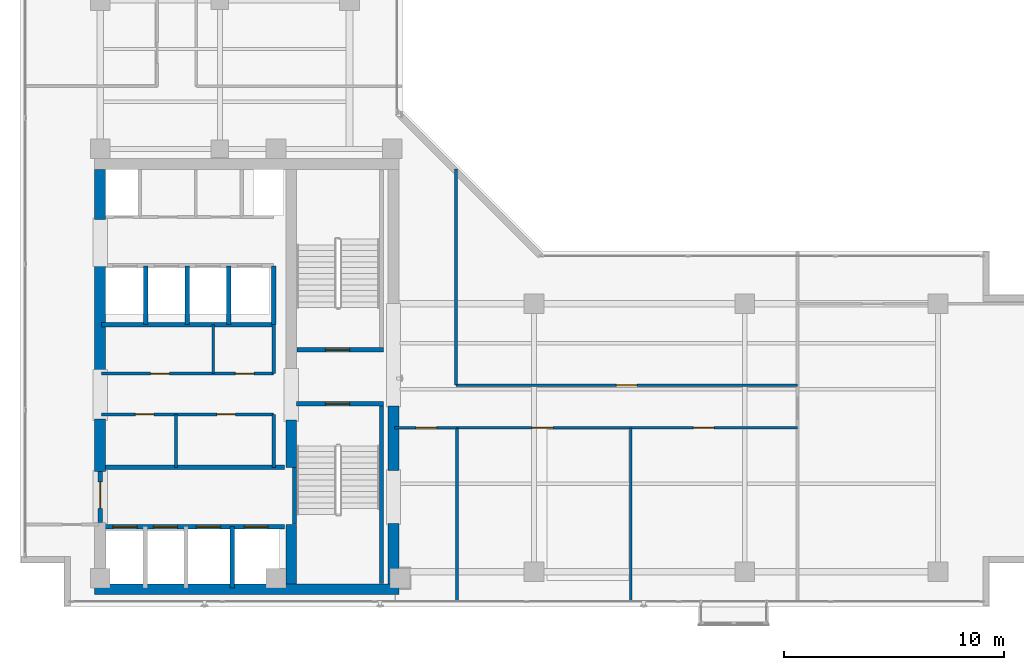
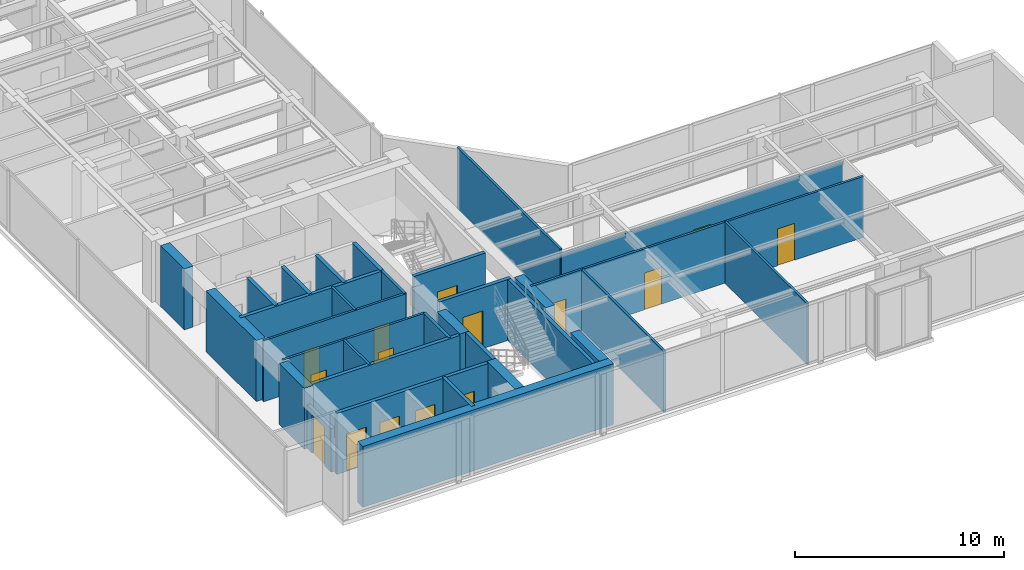
# One storey, part 17 of 24: 33 walls, 15 doors, 15 openings.
"""IFC4 building model written with IfcOpenShell, lengths in metres."""

from ifc_helpers import new_model, si_unit, direction, frame, frame_2d, origin, place, context, subcontext, project, spatial, rectangle, extrude, material, layer, layer_set, type_object, element, fill, save


model = new_model("IFC4")

# Units and contexts
model_context = context("Model", 3, precision=1e-05, world=origin(), true_north=direction((0.0, 1.0)))
body_context = subcontext(model_context, "Body", "Model", "MODEL_VIEW")
ifc_project = project(units=[si_unit("LENGTHUNIT", "METRE"), si_unit("AREAUNIT", "SQUARE_METRE"), si_unit("VOLUMEUNIT", "CUBIC_METRE"), si_unit("PLANEANGLEUNIT", "RADIAN"), si_unit("MASSUNIT", "GRAM", prefix="KILO")], contexts=[model_context])

# Site, building, storey
site_placement = place(None, origin())
site = spatial("IfcSite", under=ifc_project, at=site_placement, CompositionType="ELEMENT")
building_placement = place(site_placement, origin())
building = spatial("IfcBuilding", under=site, at=building_placement, Name="Kolvaren Waterfront Exchange", CompositionType="ELEMENT")
storey_placement = place(building_placement, frame((0.0, 0.0, 331.199951171875)))
storey = spatial("IfcBuildingStorey", under=building, at=storey_placement, Name="L85", CompositionType="ELEMENT", Elevation=331.199951171875)

# Wall, opening, door
ifc_material_1 = material(Name="Precast concrete C40/50", Category="concrete")
ifc_layer_1 = layer(ifc_material_1, 0.199951171875, Name="Precast concrete C40/50")
ifc_layer_set_1 = layer_set([ifc_layer_1], Name="Precast concrete C40/50")
wall_type_1 = type_object("IfcWallType", Name="ARC-FIRE-200", PredefinedType="PARTITIONING", material=ifc_layer_set_1)
wall_1_placement = place(storey_placement, frame((16.39990234375, 12.85009765625, 0.0), z_axis=(0.0, 0.0, 1.0), x_axis=(1.0, 0.0, 0.0)))
wall_1 = element("IfcWall", 1, at=wall_1_placement, inside=storey, type_object=wall_type_1, Name="L85 interior wall PW-L85-ST1-THROAT-S", PredefinedType="PARTITIONING", context=body_context, shape_type="SweptSolid", body=[
    extrude(rectangle(XDim=3.960205078125, YDim=0.199951171875, at=frame_2d((1.97998046875, 0.0))), origin(), (0.0, 0.0, 1.0), 3.56005859375),
])
opening_1_placement = place(wall_1_placement, frame((1.3037109375, 0.0, 0.0)))
opening_1 = element("IfcOpeningElement", 2, at=opening_1_placement, cuts=wall_1, Name="Opening FD2", PredefinedType="OPENING", context=body_context, shape_type="SweptSolid", body=[
    extrude(rectangle(XDim=1.10009765625, YDim=2.199951171875, at=frame_2d((0.550048828125, 1.10009765625))), frame((0.0, 0.10986328125, 0.0), z_axis=(0.0, -1.0, 0.0), x_axis=(1.0, 0.0, 0.0)), (0.0, 0.0, 1.0), 0.219970703125),
])
ifc_material_2 = material(Name="Pressed steel smoke-seal fire door", Category="steel")
door_type_1 = type_object("IfcDoorType", Name="ARC-FD-1100", OperationType="NOTDEFINED", PredefinedType="DOOR", material=ifc_material_2)
door_1_placement = place(opening_1_placement, frame((1.10009765625, 0.0, 0.0), z_axis=(0.0, 0.0, 1.0), x_axis=(-1.0, 0.0, 0.0)))
door_1 = element("IfcDoor", 3, at=door_1_placement, inside=storey, type_object=door_type_1, Name="L85 door DR-L85-ST1-IN (FD2)", OperationType="SINGLE_SWING_RIGHT", OverallHeight=2.199951171875, OverallWidth=1.10009765625, PredefinedType="DOOR", context=body_context, shape_type="SweptSolid", body=[
    extrude(rectangle(XDim=1.10009765625, YDim=2.199951171875, at=frame_2d((0.550048828125, 1.10009765625))), frame((0.0, 0.02490234375, 0.0), z_axis=(0.0, -1.0, 0.0), x_axis=(1.0, 0.0, 0.0)), (0.0, 0.0, 1.0), 0.050048828125),
])
fill(opening_1, door_1)

wall_2_placement = place(storey_placement, frame((16.409912109375, 15.300048828125, 0.0), z_axis=(0.0, 0.0, 1.0), x_axis=(1.0, 0.0, 0.0)))
wall_2 = element("IfcWall", 4, at=wall_2_placement, inside=storey, type_object=wall_type_1, Name="L85 interior wall PW-L85-ST2-THROAT-N", PredefinedType="PARTITIONING", context=body_context, shape_type="SweptSolid", body=[
    extrude(rectangle(XDim=3.9501953125, YDim=0.199951171875, at=frame_2d((1.97509765625, 0.0))), origin(), (0.0, 0.0, 1.0), 3.56005859375),
])
opening_2_placement = place(wall_2_placement, frame((1.293701171875, 0.0, 0.0)))
opening_2 = element("IfcOpeningElement", 5, at=opening_2_placement, cuts=wall_2, Name="Opening FD2", PredefinedType="OPENING", context=body_context, shape_type="SweptSolid", body=[
    extrude(rectangle(XDim=1.10009765625, YDim=2.199951171875, at=frame_2d((0.550048828125, 1.10009765625))), frame((0.0, 0.10986328125, 0.0), z_axis=(0.0, -1.0, 0.0), x_axis=(1.0, 0.0, 0.0)), (0.0, 0.0, 1.0), 0.219970703125),
])
door_2_placement = place(opening_2_placement, origin())
door_2 = element("IfcDoor", 6, at=door_2_placement, inside=storey, type_object=door_type_1, Name="L85 door DR-L85-ST2-IN (FD2)", OperationType="SINGLE_SWING_LEFT", OverallHeight=2.199951171875, OverallWidth=1.10009765625, PredefinedType="DOOR", context=body_context, shape_type="SweptSolid", body=[
    extrude(rectangle(XDim=1.10009765625, YDim=2.199951171875, at=frame_2d((0.550048828125, 1.10009765625))), frame((0.0, 0.02490234375, 0.0), z_axis=(0.0, -1.0, 0.0), x_axis=(1.0, 0.0, 0.0)), (0.0, 0.0, 1.0), 0.050048828125),
])
fill(opening_2, door_2)

# Wall
wall_3_placement = place(storey_placement, frame((7.5, 9.949951171875, 0.0), z_axis=(0.0, 0.0, 1.0), x_axis=(1.0, 0.0, 0.0)))
element("IfcWall", 7, at=wall_3_placement, inside=storey, type_object=wall_type_1, Name="L85 interior wall PW-L85-FF-N", PredefinedType="PARTITIONING", context=body_context, shape_type="SweptSolid", body=[
    extrude(rectangle(XDim=8.35009765625, YDim=0.199951171875, at=frame_2d((4.175048828125, 0.0))), origin(), (0.0, 0.0, 1.0), 3.56005859375),
])

# Wall, opening, door
wall_4_placement = place(storey_placement, frame((7.449951171875, 7.449951171875, 0.0), z_axis=(0.0, 0.0, 1.0), x_axis=(0.0, 1.0, 0.0)))
wall_4 = element("IfcWall", 8, at=wall_4_placement, inside=storey, type_object=wall_type_1, Name="L85 interior wall PW-L85-FF-W-DOOR", PredefinedType="PARTITIONING", context=body_context, shape_type="SweptSolid", body=[
    extrude(rectangle(XDim=2.300048828125, YDim=0.199951171875, at=frame_2d((1.14990234375, 0.0))), origin(), (0.0, 0.0, 1.0), 2.5400390625),
])
opening_3_placement = place(wall_4_placement, frame((0.63330078125, 0.0, 0.0)))
opening_3 = element("IfcOpeningElement", 9, at=opening_3_placement, cuts=wall_4, Name="Opening FD3", PredefinedType="OPENING", context=body_context, shape_type="SweptSolid", body=[
    extrude(rectangle(XDim=1.199951171875, YDim=2.25, at=frame_2d((0.60009765625, 1.125))), frame((0.0, 0.10986328125, 0.0), z_axis=(0.0, -1.0, 0.0), x_axis=(1.0, 0.0, 0.0)), (0.0, 0.0, 1.0), 0.219970703125),
])
ifc_material_3 = material(Name="Pressed steel fire door", Category="steel")
door_type_2 = type_object("IfcDoorType", Name="ARC-FD-1200", OperationType="NOTDEFINED", PredefinedType="DOOR", material=ifc_material_3)
door_3_placement = place(opening_3_placement, frame((1.199951171875, 0.0, 0.0), z_axis=(0.0, 0.0, 1.0), x_axis=(-1.0, 0.0, 0.0)))
door_3 = element("IfcDoor", 10, at=door_3_placement, inside=storey, type_object=door_type_2, Name="L85 door DR-L85-FF-OUT (FD3)", OperationType="SINGLE_SWING_RIGHT", OverallHeight=2.25, OverallWidth=1.199951171875, PredefinedType="DOOR", context=body_context, shape_type="SweptSolid", body=[
    extrude(rectangle(XDim=1.199951171875, YDim=2.25, at=frame_2d((0.60009765625, 1.125))), frame((0.0, 0.02490234375, 0.0), z_axis=(0.0, -1.0, 0.0), x_axis=(1.0, 0.0, 0.0)), (0.0, 0.0, 1.0), 0.050048828125),
])
fill(opening_3, door_3)

# Wall, openings, doors
ifc_material_4 = material(Name="Acoustic gypsum steel stud", Category="steel")
ifc_layer_2 = layer(ifc_material_4, 0.125, Name="Acoustic gypsum steel stud")
ifc_layer_set_2 = layer_set([ifc_layer_2], Name="Acoustic gypsum steel stud")
wall_type_2 = type_object("IfcWallType", Name="ARC-PART-125", PredefinedType="PARTITIONING", material=ifc_layer_set_2)
wall_5_placement = place(storey_placement, frame((7.5, 12.360107421875, 0.0), z_axis=(0.0, 0.0, 1.0), x_axis=(1.0, 0.0, 0.0)))
wall_5 = element("IfcWall", 11, at=wall_5_placement, inside=storey, type_object=wall_type_2, Name="L85 interior wall PW-L85-REC-HI-S", PredefinedType="PARTITIONING", context=body_context, shape_type="SweptSolid", body=[
    extrude(rectangle(XDim=7.85009765625, YDim=0.125, at=frame_2d((3.925048828125, 0.0))), origin(), (0.0, 0.0, 1.0), 3.56005859375),
])
opening_4_placement = place(wall_5_placement, frame((1.550048828125, 0.0, 0.0)))
opening_4 = element("IfcOpeningElement", 12, at=opening_4_placement, cuts=wall_5, Name="Opening D01", PredefinedType="OPENING", context=body_context, shape_type="SweptSolid", body=[
    extrude(rectangle(XDim=0.85009765625, YDim=2.14990234375, at=frame_2d((0.425048828125, 1.074951171875))), frame((0.0, 0.072509765625, 0.0), z_axis=(0.0, -1.0, 0.0), x_axis=(1.0, 0.0, 0.0)), (0.0, 0.0, 1.0), 0.14501953125),
])
opening_5_placement = place(wall_5_placement, frame((5.2578125, 0.0, 0.0)))
opening_5 = element("IfcOpeningElement", 13, at=opening_5_placement, cuts=wall_5, Name="Opening D01", PredefinedType="OPENING", context=body_context, shape_type="SweptSolid", body=[
    extrude(rectangle(XDim=0.85009765625, YDim=2.14990234375, at=frame_2d((0.425048828125, 1.074951171875))), frame((0.0, 0.072509765625, 0.0), z_axis=(0.0, -1.0, 0.0), x_axis=(1.0, 0.0, 0.0)), (0.0, 0.0, 1.0), 0.14501953125),
])
ifc_material_5 = material(Name="Oak veneer timber leaf", Category="wood")
door_type_3 = type_object("IfcDoorType", Name="ARC-DR-900", OperationType="NOTDEFINED", PredefinedType="DOOR", material=ifc_material_5)
door_4_placement = place(opening_4_placement, origin())
door_4 = element("IfcDoor", 14, at=door_4_placement, inside=storey, type_object=door_type_3, Name="L85 door DR-L85-REC-HI-D1 (D01)", OperationType="SINGLE_SWING_LEFT", OverallHeight=2.14990234375, OverallWidth=0.85009765625, PredefinedType="DOOR", context=body_context, shape_type="SweptSolid", body=[
    extrude(rectangle(XDim=0.85009765625, YDim=2.14990234375, at=frame_2d((0.425048828125, 1.074951171875))), frame((0.0, 0.02490234375, 0.0), z_axis=(0.0, -1.0, 0.0), x_axis=(1.0, 0.0, 0.0)), (0.0, 0.0, 1.0), 0.050048828125),
])
fill(opening_4, door_4)
door_5_placement = place(opening_5_placement, origin())
door_5 = element("IfcDoor", 15, at=door_5_placement, inside=storey, type_object=door_type_3, Name="L85 door DR-L85-REC-HI-D2 (D01)", OperationType="SINGLE_SWING_RIGHT", OverallHeight=2.14990234375, OverallWidth=0.85009765625, PredefinedType="DOOR", context=body_context, shape_type="SweptSolid", body=[
    extrude(rectangle(XDim=0.85009765625, YDim=2.14990234375, at=frame_2d((0.425048828125, 1.074951171875))), frame((0.0, 0.02490234375, 0.0), z_axis=(0.0, -1.0, 0.0), x_axis=(1.0, 0.0, 0.0)), (0.0, 0.0, 1.0), 0.050048828125),
])
fill(opening_5, door_5)

wall_6_placement = place(storey_placement, frame((7.5, 14.219970703125, 0.0), z_axis=(0.0, 0.0, 1.0), x_axis=(1.0, 0.0, 0.0)))
wall_6 = element("IfcWall", 16, at=wall_6_placement, inside=storey, type_object=wall_type_2, Name="L85 interior wall PW-L85-REC-HI-N", PredefinedType="PARTITIONING", context=body_context, shape_type="SweptSolid", body=[
    extrude(rectangle(XDim=7.85009765625, YDim=0.125, at=frame_2d((3.925048828125, 0.0))), origin(), (0.0, 0.0, 1.0), 3.56005859375),
])
opening_6_placement = place(wall_6_placement, frame((2.25244140625, 0.0, 0.0)))
opening_6 = element("IfcOpeningElement", 17, at=opening_6_placement, cuts=wall_6, Name="Opening D01", PredefinedType="OPENING", context=body_context, shape_type="SweptSolid", body=[
    extrude(rectangle(XDim=0.85009765625, YDim=2.14990234375, at=frame_2d((0.425048828125, 1.074951171875))), frame((0.0, 0.072509765625, 0.0), z_axis=(0.0, -1.0, 0.0), x_axis=(1.0, 0.0, 0.0)), (0.0, 0.0, 1.0), 0.14501953125),
])
opening_7_placement = place(wall_6_placement, frame((6.111328125, 0.0, 0.0)))
opening_7 = element("IfcOpeningElement", 18, at=opening_7_placement, cuts=wall_6, Name="Opening D01", PredefinedType="OPENING", context=body_context, shape_type="SweptSolid", body=[
    extrude(rectangle(XDim=0.85009765625, YDim=2.14990234375, at=frame_2d((0.425048828125, 1.074951171875))), frame((0.0, 0.072509765625, 0.0), z_axis=(0.0, -1.0, 0.0), x_axis=(1.0, 0.0, 0.0)), (0.0, 0.0, 1.0), 0.14501953125),
])
door_6_placement = place(opening_6_placement, origin())
door_6 = element("IfcDoor", 19, at=door_6_placement, inside=storey, type_object=door_type_3, Name="L85 door DR-L85-REC-HI-D3 (D01)", OperationType="SINGLE_SWING_LEFT", OverallHeight=2.14990234375, OverallWidth=0.85009765625, PredefinedType="DOOR", context=body_context, shape_type="SweptSolid", body=[
    extrude(rectangle(XDim=0.85009765625, YDim=2.14990234375, at=frame_2d((0.425048828125, 1.074951171875))), frame((0.0, 0.02490234375, 0.0), z_axis=(0.0, -1.0, 0.0), x_axis=(1.0, 0.0, 0.0)), (0.0, 0.0, 1.0), 0.050048828125),
])
fill(opening_6, door_6)
door_7_placement = place(opening_7_placement, origin())
door_7 = element("IfcDoor", 20, at=door_7_placement, inside=storey, type_object=door_type_3, Name="L85 door DR-L85-REC-HI-D4 (D01)", OperationType="SINGLE_SWING_RIGHT", OverallHeight=2.14990234375, OverallWidth=0.85009765625, PredefinedType="DOOR", context=body_context, shape_type="SweptSolid", body=[
    extrude(rectangle(XDim=0.85009765625, YDim=2.14990234375, at=frame_2d((0.425048828125, 1.074951171875))), frame((0.0, 0.02490234375, 0.0), z_axis=(0.0, -1.0, 0.0), x_axis=(1.0, 0.0, 0.0)), (0.0, 0.0, 1.0), 0.050048828125),
])
fill(opening_7, door_7)

# Walls
wall_7_placement = place(storey_placement, frame((10.89990234375, 9.949951171875, 0.0), z_axis=(0.0, 0.0, 1.0), x_axis=(0.0, 1.0, 0.0)))
element("IfcWall", 21, at=wall_7_placement, inside=storey, type_object=wall_type_2, Name="L85 interior wall PW-L85-REC-HI-MS3", PredefinedType="PARTITIONING", context=body_context, shape_type="SweptSolid", body=[
    extrude(rectangle(XDim=2.41015625, YDim=0.125, at=frame_2d((1.205078125, 0.0))), origin(), (0.0, 0.0, 1.0), 3.56005859375),
])
wall_8_placement = place(storey_placement, frame((12.60009765625, 14.219970703125, 0.0), z_axis=(0.0, 0.0, 1.0), x_axis=(0.0, 1.0, 0.0)))
element("IfcWall", 22, at=wall_8_placement, inside=storey, type_object=wall_type_2, Name="L85 interior wall PW-L85-REC-HI-MN3", PredefinedType="PARTITIONING", context=body_context, shape_type="SweptSolid", body=[
    extrude(rectangle(XDim=2.22998046875, YDim=0.125, at=frame_2d((1.114990234375, 0.0))), origin(), (0.0, 0.0, 1.0), 3.56005859375),
])

# Wall, opening, door
wall_9_placement = place(storey_placement, frame((20.85009765625, 11.75, 0.0), z_axis=(0.0, 0.0, 1.0), x_axis=(1.0, 0.0, 0.0)))
wall_9 = element("IfcWall", 23, at=wall_9_placement, inside=storey, type_object=wall_type_2, Name="L85 interior wall PW-L85-SWST3-N", PredefinedType="PARTITIONING", context=body_context, shape_type="SweptSolid", body=[
    extrude(rectangle(XDim=2.849853515625, YDim=0.125, at=frame_2d((1.4248046875, 0.0))), origin(), (0.0, 0.0, 1.0), 3.56005859375),
])
opening_8_placement = place(wall_9_placement, frame((0.971435546875, 0.0, 0.0)))
opening_8 = element("IfcOpeningElement", 24, at=opening_8_placement, cuts=wall_9, Name="Opening D02", PredefinedType="OPENING", context=body_context, shape_type="SweptSolid", body=[
    extrude(rectangle(XDim=0.949951171875, YDim=2.14990234375, at=frame_2d((0.47509765625, 1.074951171875))), frame((0.0, 0.072509765625, 0.0), z_axis=(0.0, -1.0, 0.0), x_axis=(1.0, 0.0, 0.0)), (0.0, 0.0, 1.0), 0.14501953125),
])
ifc_material_6 = material(Name="Oak veneer acoustic timber", Category="wood")
door_type_4 = type_object("IfcDoorType", Name="ARC-DR-950", OperationType="NOTDEFINED", PredefinedType="DOOR", material=ifc_material_6)
door_8_placement = place(opening_8_placement, origin())
door_8 = element("IfcDoor", 25, at=door_8_placement, inside=storey, type_object=door_type_4, Name="L85 door DR-L85-SWST3-D (D02)", OperationType="SINGLE_SWING_LEFT", OverallHeight=2.14990234375, OverallWidth=0.949951171875, PredefinedType="DOOR", context=body_context, shape_type="SweptSolid", body=[
    extrude(rectangle(XDim=0.949951171875, YDim=2.14990234375, at=frame_2d((0.47509765625, 1.074951171875))), frame((0.0, 0.02490234375, 0.0), z_axis=(0.0, -1.0, 0.0), x_axis=(1.0, 0.0, 0.0)), (0.0, 0.0, 1.0), 0.050048828125),
])
fill(opening_8, door_8)

# Wall
wall_10_placement = place(storey_placement, frame((23.699951171875, 3.840087890625, 0.0), z_axis=(0.0, 0.0, 1.0), x_axis=(0.0, 1.0, 0.0)))
element("IfcWall", 26, at=wall_10_placement, inside=storey, type_object=wall_type_2, Name="L85 interior wall PW-L85-ES-W0", PredefinedType="PARTITIONING", context=body_context, shape_type="SweptSolid", body=[
    extrude(rectangle(XDim=7.909912109375, YDim=0.125, at=frame_2d((3.955078125, 0.0))), origin(), (0.0, 0.0, 1.0), 3.56005859375),
])

# Wall, openings, doors
wall_11_placement = place(storey_placement, frame((23.699951171875, 11.75, 0.0), z_axis=(0.0, 0.0, 1.0), x_axis=(1.0, 0.0, 0.0)))
wall_11 = element("IfcWall", 27, at=wall_11_placement, inside=storey, type_object=wall_type_2, Name="L85 interior wall PW-L85-ES-CORR", PredefinedType="PARTITIONING", context=body_context, shape_type="SweptSolid", body=[
    extrude(rectangle(XDim=15.5, YDim=0.125, at=frame_2d((7.75, 0.0))), origin(), (0.0, 0.0, 1.0), 3.56005859375),
])
opening_9_placement = place(wall_11_placement, frame((3.408447265625, 0.0, 0.0)))
opening_9 = element("IfcOpeningElement", 28, at=opening_9_placement, cuts=wall_11, Name="Opening D02", PredefinedType="OPENING", context=body_context, shape_type="SweptSolid", body=[
    extrude(rectangle(XDim=0.949951171875, YDim=2.14990234375, at=frame_2d((0.47509765625, 1.074951171875))), frame((0.0, 0.072509765625, 0.0), z_axis=(0.0, -1.0, 0.0), x_axis=(1.0, 0.0, 0.0)), (0.0, 0.0, 1.0), 0.14501953125),
])
opening_10_placement = place(wall_11_placement, frame((10.7548828125, 0.0, 0.0)))
opening_10 = element("IfcOpeningElement", 29, at=opening_10_placement, cuts=wall_11, Name="Opening D02", PredefinedType="OPENING", context=body_context, shape_type="SweptSolid", body=[
    extrude(rectangle(XDim=0.949951171875, YDim=2.14990234375, at=frame_2d((0.47509765625, 1.074951171875))), frame((0.0, 0.072509765625, 0.0), z_axis=(0.0, -1.0, 0.0), x_axis=(1.0, 0.0, 0.0)), (0.0, 0.0, 1.0), 0.14501953125),
])
door_9_placement = place(opening_9_placement, origin())
door_9 = element("IfcDoor", 30, at=door_9_placement, inside=storey, type_object=door_type_4, Name="L85 door DR-L85-ES-D-1 (D02)", OperationType="SINGLE_SWING_RIGHT", OverallHeight=2.14990234375, OverallWidth=0.949951171875, PredefinedType="DOOR", context=body_context, shape_type="SweptSolid", body=[
    extrude(rectangle(XDim=0.949951171875, YDim=2.14990234375, at=frame_2d((0.47509765625, 1.074951171875))), frame((0.0, 0.02490234375, 0.0), z_axis=(0.0, -1.0, 0.0), x_axis=(1.0, 0.0, 0.0)), (0.0, 0.0, 1.0), 0.050048828125),
])
fill(opening_9, door_9)
door_10_placement = place(opening_10_placement, origin())
door_10 = element("IfcDoor", 31, at=door_10_placement, inside=storey, type_object=door_type_4, Name="L85 door DR-L85-ES-D-2 (D02)", OperationType="SINGLE_SWING_LEFT", OverallHeight=2.14990234375, OverallWidth=0.949951171875, PredefinedType="DOOR", context=body_context, shape_type="SweptSolid", body=[
    extrude(rectangle(XDim=0.949951171875, YDim=2.14990234375, at=frame_2d((0.47509765625, 1.074951171875))), frame((0.0, 0.02490234375, 0.0), z_axis=(0.0, -1.0, 0.0), x_axis=(1.0, 0.0, 0.0)), (0.0, 0.0, 1.0), 0.050048828125),
])
fill(opening_10, door_10)

# Walls
wall_12_placement = place(storey_placement, frame((31.610107421875, 3.840087890625, 0.0), z_axis=(0.0, 0.0, 1.0), x_axis=(0.0, 1.0, 0.0)))
element("IfcWall", 32, at=wall_12_placement, inside=storey, type_object=wall_type_2, Name="L85 interior wall PW-L85-ES-DIV-1", PredefinedType="PARTITIONING", context=body_context, shape_type="SweptSolid", body=[
    extrude(rectangle(XDim=7.909912109375, YDim=0.125, at=frame_2d((3.955078125, 0.0))), origin(), (0.0, 0.0, 1.0), 3.56005859375),
])
wall_13_placement = place(storey_placement, frame((23.64990234375, 13.68994140625, 0.0), z_axis=(0.0, 0.0, 1.0), x_axis=(0.0, 1.0, 0.0)))
element("IfcWall", 33, at=wall_13_placement, inside=storey, type_object=wall_type_2, Name="L85 interior wall PW-L85-EN-W0", PredefinedType="PARTITIONING", context=body_context, shape_type="SweptSolid", body=[
    extrude(rectangle(XDim=9.841064453125, YDim=0.125, at=frame_2d((4.92041015625, 0.0))), origin(), (0.0, 0.0, 1.0), 3.56005859375),
])

# Wall, opening, door
wall_14_placement = place(storey_placement, frame((23.64990234375, 13.68994140625, 0.0), z_axis=(0.0, 0.0, 1.0), x_axis=(1.0, 0.0, 0.0)))
wall_14 = element("IfcWall", 34, at=wall_14_placement, inside=storey, type_object=wall_type_2, Name="L85 interior wall PW-L85-EN-CORR", PredefinedType="PARTITIONING", context=body_context, shape_type="SweptSolid", body=[
    extrude(rectangle(XDim=15.550048828125, YDim=0.125, at=frame_2d((7.77490234375, 0.0))), origin(), (0.0, 0.0, 1.0), 3.260009765625),
])
opening_11_placement = place(wall_14_placement, frame((7.300048828125, 0.0, 0.0)))
opening_11 = element("IfcOpeningElement", 35, at=opening_11_placement, cuts=wall_14, Name="Opening D02", PredefinedType="OPENING", context=body_context, shape_type="SweptSolid", body=[
    extrude(rectangle(XDim=0.949951171875, YDim=2.14990234375, at=frame_2d((0.47509765625, 1.074951171875))), frame((0.0, 0.072509765625, 0.0), z_axis=(0.0, -1.0, 0.0), x_axis=(1.0, 0.0, 0.0)), (0.0, 0.0, 1.0), 0.14501953125),
])
door_11_placement = place(opening_11_placement, origin())
door_11 = element("IfcDoor", 36, at=door_11_placement, inside=storey, type_object=door_type_4, Name="L85 door DR-L85-EN-D-1 (D02)", OperationType="SINGLE_SWING_RIGHT", OverallHeight=2.14990234375, OverallWidth=0.949951171875, PredefinedType="DOOR", context=body_context, shape_type="SweptSolid", body=[
    extrude(rectangle(XDim=0.949951171875, YDim=2.14990234375, at=frame_2d((0.47509765625, 1.074951171875))), frame((0.0, 0.02490234375, 0.0), z_axis=(0.0, -1.0, 0.0), x_axis=(1.0, 0.0, 0.0)), (0.0, 0.0, 1.0), 0.050048828125),
])
fill(opening_11, door_11)

# Walls
ifc_material_7 = material(Name="Gypsum fireboard steel stud", Category="steel")
ifc_layer_3 = layer(ifc_material_7, 0.14990234375, Name="Gypsum fireboard steel stud")
ifc_layer_set_3 = layer_set([ifc_layer_3], Name="Gypsum fireboard steel stud")
wall_type_3 = type_object("IfcWallType", Name="ARC-PART-150", PredefinedType="PARTITIONING", material=ifc_layer_set_3)
wall_15_placement = place(storey_placement, frame((15.35009765625, 9.949951171875, 0.0), z_axis=(0.0, 0.0, 1.0), x_axis=(0.0, 1.0, 0.0)))
element("IfcWall", 37, at=wall_15_placement, inside=storey, type_object=wall_type_3, Name="L85 interior wall PW-L85-REC-HI-E1", PredefinedType="PARTITIONING", context=body_context, shape_type="SweptSolid", body=[
    extrude(rectangle(XDim=2.41015625, YDim=0.14990234375, at=frame_2d((1.205078125, 0.0))), origin(), (0.0, 0.0, 1.0), 3.56005859375),
])
wall_16_placement = place(storey_placement, frame((15.35009765625, 14.219970703125, 0.0), z_axis=(0.0, 0.0, 1.0), x_axis=(0.0, 1.0, 0.0)))
element("IfcWall", 38, at=wall_16_placement, inside=storey, type_object=wall_type_3, Name="L85 interior wall PW-L85-REC-HI-E2", PredefinedType="PARTITIONING", context=body_context, shape_type="SweptSolid", body=[
    extrude(rectangle(XDim=2.22998046875, YDim=0.14990234375, at=frame_2d((1.114990234375, 0.0))), origin(), (0.0, 0.0, 1.0), 3.56005859375),
])
ifc_material_8 = material(Name="Concrete C40/50", Category="concrete")
ifc_layer_4 = layer(ifc_material_8, 0.199951171875, Name="Concrete C40/50")
ifc_layer_set_4 = layer_set([ifc_layer_4], Name="Concrete C40/50")
wall_type_4 = type_object("IfcWallType", Name="ARC-SHAFT-200", PredefinedType="PARTITIONING", material=ifc_layer_set_4)
wall_17_placement = place(storey_placement, frame((16.300048828125, 7.360107421875, 0.0), z_axis=(0.0, 0.0, 1.0), x_axis=(0.0, 1.0, 0.0)))
element("IfcWall", 39, at=wall_17_placement, inside=storey, type_object=wall_type_4, Name="L85 structural stairwell wall PW-L85-ST1-W", PredefinedType="SHEAR", context=body_context, shape_type="SweptSolid", body=[
    extrude(rectangle(XDim=2.579833984375, YDim=0.199951171875, at=frame_2d((1.2900390625, 0.0))), origin(), (0.0, 0.0, 1.0), 3.56005859375),
])
wall_18_placement = place(storey_placement, frame((20.260009765625, 4.659912109375, 0.0), z_axis=(0.0, 0.0, 1.0), x_axis=(0.0, 1.0, 0.0)))
element("IfcWall", 40, at=wall_18_placement, inside=storey, type_object=wall_type_4, Name="L85 structural stairwell wall PW-L85-ST1-E", PredefinedType="SHEAR", context=body_context, shape_type="SweptSolid", body=[
    extrude(rectangle(XDim=8.090087890625, YDim=0.199951171875, at=frame_2d((4.044921875, 0.0))), origin(), (0.0, 0.0, 1.0), 3.56005859375),
])

# Wall, openings, doors
wall_19_placement = place(storey_placement, frame((7.5, 7.25, 0.0), z_axis=(0.0, 0.0, 1.0), x_axis=(1.0, 0.0, 0.0)))
wall_19 = element("IfcWall", 41, at=wall_19_placement, inside=storey, type_object=wall_type_4, Name="L85 interior wall PW-L85-FF-S", PredefinedType="PARTITIONING", context=body_context, shape_type="SweptSolid", body=[
    extrude(rectangle(XDim=8.35009765625, YDim=0.199951171875, at=frame_2d((4.175048828125, 0.0))), origin(), (0.0, 0.0, 1.0), 3.56005859375),
])
opening_12_placement = place(wall_19_placement, frame((0.530029296875, 0.0, 0.0)))
opening_12 = element("IfcOpeningElement", 42, at=opening_12_placement, cuts=wall_19, Name="Opening LD1", PredefinedType="OPENING", context=body_context, shape_type="SweptSolid", body=[
    extrude(rectangle(XDim=1.10009765625, YDim=2.199951171875, at=frame_2d((0.550048828125, 1.10009765625))), frame((0.0, 0.10986328125, 0.0), z_axis=(0.0, -1.0, 0.0), x_axis=(1.0, 0.0, 0.0)), (0.0, 0.0, 1.0), 0.219970703125),
])
opening_13_placement = place(wall_19_placement, frame((2.3701171875, 0.0, 0.0)))
opening_13 = element("IfcOpeningElement", 43, at=opening_13_placement, cuts=wall_19, Name="Opening LD1", PredefinedType="OPENING", context=body_context, shape_type="SweptSolid", body=[
    extrude(rectangle(XDim=1.10009765625, YDim=2.199951171875, at=frame_2d((0.550048828125, 1.10009765625))), frame((0.0, 0.10986328125, 0.0), z_axis=(0.0, -1.0, 0.0), x_axis=(1.0, 0.0, 0.0)), (0.0, 0.0, 1.0), 0.219970703125),
])
opening_14_placement = place(wall_19_placement, frame((4.330078125, 0.0, 0.0)))
opening_14 = element("IfcOpeningElement", 44, at=opening_14_placement, cuts=wall_19, Name="Opening LD1", PredefinedType="OPENING", context=body_context, shape_type="SweptSolid", body=[
    extrude(rectangle(XDim=1.10009765625, YDim=2.199951171875, at=frame_2d((0.550048828125, 1.10009765625))), frame((0.0, 0.10986328125, 0.0), z_axis=(0.0, -1.0, 0.0), x_axis=(1.0, 0.0, 0.0)), (0.0, 0.0, 1.0), 0.219970703125),
])
opening_15_placement = place(wall_19_placement, frame((6.5, 0.0, 0.0)))
opening_15 = element("IfcOpeningElement", 45, at=opening_15_placement, cuts=wall_19, Name="Opening LD1", PredefinedType="OPENING", context=body_context, shape_type="SweptSolid", body=[
    extrude(rectangle(XDim=1.10009765625, YDim=2.199951171875, at=frame_2d((0.550048828125, 1.10009765625))), frame((0.0, 0.10986328125, 0.0), z_axis=(0.0, -1.0, 0.0), x_axis=(1.0, 0.0, 0.0)), (0.0, 0.0, 1.0), 0.219970703125),
])
ifc_material_9 = material(Name="Stainless steel sliding landing door", Category="steel")
door_type_5 = type_object("IfcDoorType", Name="ARC-LD-FF", OperationType="SLIDING_TO_LEFT", PredefinedType="DOOR", material=ifc_material_9)
door_12_placement = place(opening_12_placement, origin())
door_12 = element("IfcDoor", 46, at=door_12_placement, inside=storey, type_object=door_type_5, Name="L85 door LD-L85-FFL1 (LD1)", OperationType="SLIDING_TO_LEFT", OverallHeight=2.199951171875, OverallWidth=1.10009765625, PredefinedType="DOOR", context=body_context, shape_type="SweptSolid", body=[
    extrude(rectangle(XDim=1.10009765625, YDim=2.199951171875, at=frame_2d((0.550048828125, 1.10009765625))), frame((0.0, 0.02490234375, 0.0), z_axis=(0.0, -1.0, 0.0), x_axis=(1.0, 0.0, 0.0)), (0.0, 0.0, 1.0), 0.050048828125),
])
fill(opening_12, door_12)
door_13_placement = place(opening_13_placement, origin())
door_13 = element("IfcDoor", 47, at=door_13_placement, inside=storey, type_object=door_type_5, Name="L85 door LD-L85-FFL2 (LD1)", OperationType="SLIDING_TO_LEFT", OverallHeight=2.199951171875, OverallWidth=1.10009765625, PredefinedType="DOOR", context=body_context, shape_type="SweptSolid", body=[
    extrude(rectangle(XDim=1.10009765625, YDim=2.199951171875, at=frame_2d((0.550048828125, 1.10009765625))), frame((0.0, 0.02490234375, 0.0), z_axis=(0.0, -1.0, 0.0), x_axis=(1.0, 0.0, 0.0)), (0.0, 0.0, 1.0), 0.050048828125),
])
fill(opening_13, door_13)
door_14_placement = place(opening_14_placement, origin())
door_14 = element("IfcDoor", 48, at=door_14_placement, inside=storey, type_object=door_type_5, Name="L85 door LD-L85-GL1 (LD1)", OperationType="SLIDING_TO_LEFT", OverallHeight=2.199951171875, OverallWidth=1.10009765625, PredefinedType="DOOR", context=body_context, shape_type="SweptSolid", body=[
    extrude(rectangle(XDim=1.10009765625, YDim=2.199951171875, at=frame_2d((0.550048828125, 1.10009765625))), frame((0.0, 0.02490234375, 0.0), z_axis=(0.0, -1.0, 0.0), x_axis=(1.0, 0.0, 0.0)), (0.0, 0.0, 1.0), 0.050048828125),
])
fill(opening_14, door_14)
door_15_placement = place(opening_15_placement, origin())
door_15 = element("IfcDoor", 49, at=door_15_placement, inside=storey, type_object=door_type_5, Name="L85 door LD-L85-GL2 (LD1)", OperationType="SLIDING_TO_LEFT", OverallHeight=2.199951171875, OverallWidth=1.10009765625, PredefinedType="DOOR", context=body_context, shape_type="SweptSolid", body=[
    extrude(rectangle(XDim=1.10009765625, YDim=2.199951171875, at=frame_2d((0.550048828125, 1.10009765625))), frame((0.0, 0.02490234375, 0.0), z_axis=(0.0, -1.0, 0.0), x_axis=(1.0, 0.0, 0.0)), (0.0, 0.0, 1.0), 0.050048828125),
])
fill(opening_15, door_15)

# Walls
wall_20_placement = place(storey_placement, frame((13.4599609375, 4.449951171875, 0.0), z_axis=(0.0, 0.0, 1.0), x_axis=(0.0, 1.0, 0.0)))
element("IfcWall", 50, at=wall_20_placement, inside=storey, type_object=wall_type_4, Name="L85 interior wall PW-L85-SH1-DIV-134", PredefinedType="PARTITIONING", context=body_context, shape_type="SweptSolid", body=[
    extrude(rectangle(XDim=2.800048828125, YDim=0.199951171875, at=frame_2d((1.39990234375, 0.0))), origin(), (0.0, 0.0, 1.0), 3.56005859375),
])
wall_21_placement = place(storey_placement, frame((7.5, 16.449951171875, 0.0), z_axis=(0.0, 0.0, 1.0), x_axis=(1.0, 0.0, 0.0)))
element("IfcWall", 51, at=wall_21_placement, inside=storey, type_object=wall_type_4, Name="L85 interior wall PW-L85-REC-PM-N", PredefinedType="PARTITIONING", context=body_context, shape_type="SweptSolid", body=[
    extrude(rectangle(XDim=7.85009765625, YDim=0.199951171875, at=frame_2d((3.925048828125, 0.0))), origin(), (0.0, 0.0, 1.0), 3.56005859375),
])
for number, where, z_axis, x_axis, name in (
    (52, (15.35009765625, 16.449951171875, 0.0), (0.0, 0.0, 1.0), (0.0, 1.0, 0.0), "L85 interior wall PW-L85-PH-E"),
    (53, (9.52001953125, 16.449951171875, 0.0), (0.0, 0.0, 1.0), (0.0, 1.0, 0.0), "L85 interior wall PW-L85-SH4-DIV-95"),
    (54, (11.409912109375, 16.449951171875, 0.0), (0.0, 0.0, 1.0), (0.0, 1.0, 0.0), "L85 interior wall PW-L85-SH4-DIV-114"),
    (55, (13.300048828125, 16.449951171875, 0.0), (0.0, 0.0, 1.0), (0.0, 1.0, 0.0), "L85 interior wall PW-L85-SH4-DIV-133"),
):
    element("IfcWall", number, at=place(storey_placement, frame(where, z_axis=z_axis, x_axis=x_axis)), inside=storey, type_object=wall_type_4, Name=name, PredefinedType="PARTITIONING", context=body_context, shape_type="SweptSolid", body=[
        extrude(rectangle(XDim=2.670166015625, YDim=0.199951171875, at=frame_2d((1.3349609375, 0.0))), origin(), (0.0, 0.0, 1.0), 3.56005859375),
    ])
ifc_material_10 = material(Name="Concrete C50/60", Category="concrete")
ifc_layer_5 = layer(ifc_material_10, 0.5, Name="Concrete C50/60")
ifc_layer_set_5 = layer_set([ifc_layer_5], Name="Concrete C50/60")
wall_type_5 = type_object("IfcWallType", Name="STR-CWALL-500", PredefinedType="SHEAR", material=ifc_layer_set_5)
wall_22_placement = place(storey_placement, frame((7.199951171875, 4.39990234375, 0.0), z_axis=(0.0, 0.0, 1.0), x_axis=(1.0, 0.0, 0.0)))
element("IfcWall", 56, at=wall_22_placement, inside=storey, type_object=wall_type_5, Name="L85 rear-core shear wall S", PredefinedType="SHEAR", context=body_context, shape_type="SweptSolid", body=[
    extrude(rectangle(XDim=13.85009765625, YDim=0.5, at=frame_2d((6.925048828125, 0.0))), origin(), (0.0, 0.0, 1.0), 3.56005859375),
])
wall_23_placement = place(storey_placement, frame((7.449951171875, 9.75, 0.0), z_axis=(0.0, 0.0, 1.0), x_axis=(0.0, 1.0, 0.0)))
element("IfcWall", 57, at=wall_23_placement, inside=storey, type_object=wall_type_5, Name="L85 rear-core shear wall W2A", PredefinedType="SHEAR", context=body_context, shape_type="SweptSolid", body=[
    extrude(rectangle(XDim=2.39990234375, YDim=0.5, at=frame_2d((1.199951171875, 0.0))), origin(), (0.0, 0.0, 1.0), 3.56005859375),
])
wall_24_placement = place(storey_placement, frame((7.449951171875, 14.35009765625, 0.0), z_axis=(0.0, 0.0, 1.0), x_axis=(0.0, 1.0, 0.0)))
element("IfcWall", 58, at=wall_24_placement, inside=storey, type_object=wall_type_5, Name="L85 rear-core shear wall W2B", PredefinedType="SHEAR", context=body_context, shape_type="SweptSolid", body=[
    extrude(rectangle(XDim=4.809814453125, YDim=0.5, at=frame_2d((2.40478515625, 0.0))), origin(), (0.0, 0.0, 1.0), 3.56005859375),
])
wall_25_placement = place(storey_placement, frame((7.449951171875, 21.239990234375, 0.0), z_axis=(0.0, 0.0, 1.0), x_axis=(0.0, 1.0, 0.0)))
element("IfcWall", 59, at=wall_25_placement, inside=storey, type_object=wall_type_5, Name="L85 rear-core shear wall W3", PredefinedType="SHEAR", context=body_context, shape_type="SweptSolid", body=[
    extrude(rectangle(XDim=2.260009765625, YDim=0.5, at=frame_2d((1.1298828125, 0.0))), origin(), (0.0, 0.0, 1.0), 3.56005859375),
])
wall_26_placement = place(storey_placement, frame((20.800048828125, 4.64990234375, 0.0), z_axis=(0.0, 0.0, 1.0), x_axis=(0.0, 1.0, 0.0)))
element("IfcWall", 60, at=wall_26_placement, inside=storey, type_object=wall_type_5, Name="L85 rear-core shear wall E1", PredefinedType="SHEAR", context=body_context, shape_type="SweptSolid", body=[
    extrude(rectangle(XDim=2.75, YDim=0.5, at=frame_2d((1.375, 0.0))), origin(), (0.0, 0.0, 1.0), 3.56005859375),
])
wall_27_placement = place(storey_placement, frame((20.800048828125, 9.800048828125, 0.0), z_axis=(0.0, 0.0, 1.0), x_axis=(0.0, 1.0, 0.0)))
element("IfcWall", 61, at=wall_27_placement, inside=storey, type_object=wall_type_5, Name="L85 rear-core shear wall E2", PredefinedType="SHEAR", context=body_context, shape_type="SweptSolid", body=[
    extrude(rectangle(XDim=2.949951171875, YDim=0.5, at=frame_2d((1.47509765625, 0.0))), origin(), (0.0, 0.0, 1.0), 3.56005859375),
])
wall_28_placement = place(storey_placement, frame((16.14990234375, 4.64990234375, 0.0), z_axis=(0.0, 0.0, 1.0), x_axis=(0.0, 1.0, 0.0)))
element("IfcWall", 62, at=wall_28_placement, inside=storey, type_object=wall_type_5, Name="L85 rear-core shear wall M1", PredefinedType="SHEAR", context=body_context, shape_type="SweptSolid", body=[
    extrude(rectangle(XDim=2.7001953125, YDim=0.5, at=frame_2d((1.35009765625, 0.0))), origin(), (0.0, 0.0, 1.0), 3.56005859375),
])
wall_29_placement = place(storey_placement, frame((16.14990234375, 9.949951171875, 0.0), z_axis=(0.0, 0.0, 1.0), x_axis=(0.0, 1.0, 0.0)))
element("IfcWall", 63, at=wall_29_placement, inside=storey, type_object=wall_type_5, Name="L85 rear-core shear wall M2", PredefinedType="SHEAR", context=body_context, shape_type="SweptSolid", body=[
    extrude(rectangle(XDim=2.150146484375, YDim=0.5, at=frame_2d((1.0751953125, 0.0))), origin(), (0.0, 0.0, 1.0), 3.56005859375),
])

save(model, "model.ifc")
